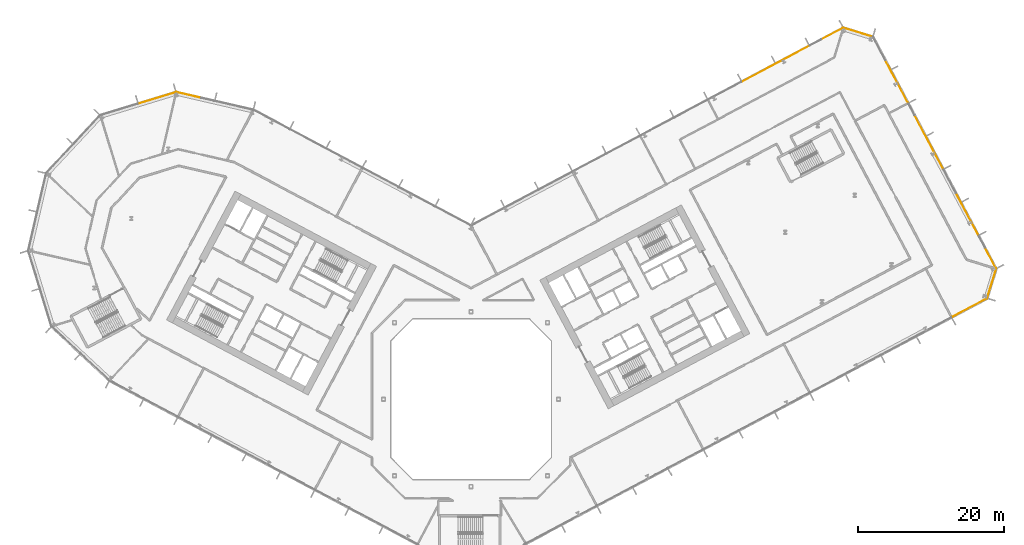
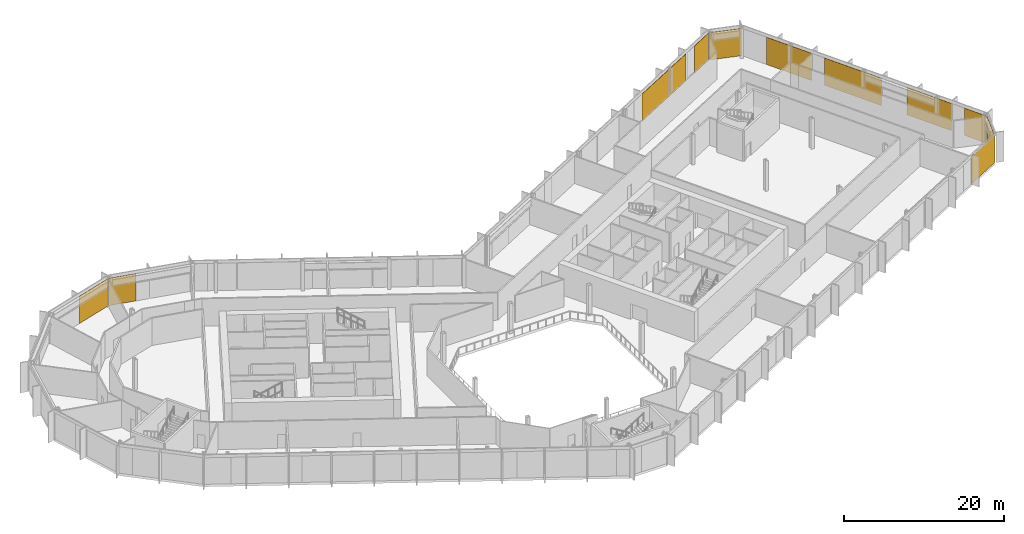
# One storey, part 31 of 31: 11 coverings, 7 elements without a shape of their own.
"""IFC4 building model written with IfcOpenShell, lengths in metres."""

from ifc_helpers import new_model, si_unit, direction, frame, origin, origin_2d, place, context, subcontext, project, spatial, rectangle, extrude, material, layer, layer_set, type_object, element, aggregate, save


model = new_model("IFC4")

# Units and contexts
model_context = context("Model", 3, precision=1e-05, world=origin(), true_north=direction((0.0, 1.0)))
body_context = subcontext(model_context, "Body", "Model", "MODEL_VIEW")
ifc_project = project(units=[si_unit("LENGTHUNIT", "METRE"), si_unit("AREAUNIT", "SQUARE_METRE"), si_unit("VOLUMEUNIT", "CUBIC_METRE"), si_unit("PLANEANGLEUNIT", "RADIAN"), si_unit("MASSUNIT", "GRAM", prefix="KILO")], contexts=[model_context])

# Site, building, storey
site_placement = place(None, origin())
site = spatial("IfcSite", under=ifc_project, at=site_placement, CompositionType="ELEMENT")
building_placement = place(site_placement, origin())
building = spatial("IfcBuilding", under=site, at=building_placement, Name="Cormorant Relay Tower", CompositionType="ELEMENT")
storey_placement = place(building_placement, frame((0.0, 0.0, 107.60009765625)))
storey = spatial("IfcBuildingStorey", under=building, at=storey_placement, Name="L21", CompositionType="ELEMENT", Elevation=107.60009765625)

# Curtain wall, covering
ifc_material_1 = material(Name="Aluminium 6063-T6 anodised bronze", Category="aluminium")
ifc_layer_1 = layer(ifc_material_1, 0.199951171875)
ifc_layer_set_1 = layer_set([ifc_layer_1], Name="CW1 unitised bronze curtain wall with vertical fins")
curtain_wall_type = type_object("IfcCurtainWallType", Name="CW1 unitised bronze curtain wall with vertical fins", PredefinedType="NOTDEFINED", material=ifc_layer_set_1)
curtain_wall_1_placement = place(storey_placement, origin())
curtain_wall_1 = element("IfcCurtainWall", 1, at=curtain_wall_1_placement, inside=storey, type_object=curtain_wall_type, Name="CW1 curtain wall 2", PredefinedType="NOTDEFINED")
ifc_material_2 = material(Name="Pale bronze anodised aluminium insulated panel", Category="aluminium")
ifc_layer_2 = layer(ifc_material_2, 0.0400390625)
ifc_layer_set_2 = layer_set([ifc_layer_2], Name="CW1 pale bronze insulated panel 40")
covering_type = type_object("IfcCoveringType", Name="CW1 pale bronze insulated panel 40", PredefinedType="CLADDING", material=ifc_layer_set_2)
covering_1_placement = place(storey_placement, frame((68.391357421875, 12.557861328125, 0.0), z_axis=(0.0, 0.0, 1.0), x_axis=(0.882947592859, 0.469471562786, 0.0)))
covering_1 = element("IfcCovering", 2, at=covering_1_placement, type_object=covering_type, Name="CW1 panel S13", PredefinedType="CLADDING", context=body_context, shape_type="SweptSolid", body=[
    extrude(rectangle(XDim=5.436767578125, YDim=0.0400390625, at=origin_2d()), origin(), (0.0, 0.0, 1.0), 4.14990234375),
])
aggregate(curtain_wall_1, [covering_1])

curtain_wall_2_placement = place(storey_placement, origin())
curtain_wall_2 = element("IfcCurtainWall", 3, at=curtain_wall_2_placement, inside=storey, type_object=curtain_wall_type, Name="CW1 curtain wall 3", PredefinedType="NOTDEFINED")
covering_2_placement = place(storey_placement, frame((71.4326171875, 15.910400390625, 0.0), z_axis=(0.0, 0.0, 1.0), x_axis=(0.292371704723, 0.956304755963, 0.0)))
covering_2 = element("IfcCovering", 4, at=covering_2_placement, type_object=covering_type, Name="CW1 panel S00", PredefinedType="CLADDING", context=body_context, shape_type="SweptSolid", body=[
    extrude(rectangle(XDim=4.16748046875, YDim=0.0400390625, at=origin_2d()), origin(), (0.0, 0.0, 1.0), 4.14990234375),
])
aggregate(curtain_wall_2, [covering_2])

# Curtain wall, coverings
curtain_wall_3_placement = place(storey_placement, origin())
curtain_wall_3 = element("IfcCurtainWall", 5, at=curtain_wall_3_placement, inside=storey, type_object=curtain_wall_type, Name="CW1 curtain wall 4", PredefinedType="NOTDEFINED")
covering_3_placement = place(storey_placement, frame((71.255615234375, 19.39404296875, 0.0), z_axis=(0.0, 0.0, 1.0), x_axis=(-0.469471562786, 0.882947592859, 0.0)))
covering_3 = element("IfcCovering", 6, at=covering_3_placement, type_object=covering_type, Name="CW1 panel S00", PredefinedType="CLADDING", context=body_context, shape_type="SweptSolid", body=[
    extrude(rectangle(XDim=3.19287109375, YDim=0.0400390625, at=origin_2d()), origin(), (0.0, 0.0, 1.0), 4.14990234375),
])
covering_4_placement = place(storey_placement, frame((68.056640625, 25.41064453125, 0.0), z_axis=(0.0, 0.0, 1.0), x_axis=(-0.469471562786, 0.882947592859, 0.0)))
covering_4 = element("IfcCovering", 7, at=covering_4_placement, type_object=covering_type, Name="CW1 panel S02", PredefinedType="CLADDING", context=body_context, shape_type="SweptSolid", body=[
    extrude(rectangle(XDim=6.53564453125, YDim=0.0400390625, at=origin_2d()), origin(), (0.0, 0.0, 1.0), 4.14990234375),
])
covering_5_placement = place(storey_placement, frame((62.80517578125, 35.287109375, 0.0), z_axis=(0.0, 0.0, 1.0), x_axis=(-0.469471562786, 0.882947592859, 0.0)))
covering_5 = element("IfcCovering", 8, at=covering_5_placement, type_object=covering_type, Name="CW1 panel S04", PredefinedType="CLADDING", context=body_context, shape_type="SweptSolid", body=[
    extrude(rectangle(XDim=8.335693359375, YDim=0.0400390625, at=origin_2d()), origin(), (0.0, 0.0, 1.0), 4.14990234375),
])
covering_6_placement = place(storey_placement, frame((58.38134765625, 43.607421875, 0.0), z_axis=(0.0, 0.0, 1.0), x_axis=(-0.469471562786, 0.882947592859, 0.0)))
covering_6 = element("IfcCovering", 9, at=covering_6_placement, type_object=covering_type, Name="CW1 panel S06", PredefinedType="CLADDING", context=body_context, shape_type="SweptSolid", body=[
    extrude(rectangle(XDim=6.610595703125, YDim=0.0400390625, at=origin_2d()), origin(), (0.0, 0.0, 1.0), 4.14990234375),
])
aggregate(curtain_wall_3, [covering_3, covering_4, covering_5, covering_6])

# Curtain wall, covering
curtain_wall_4_placement = place(storey_placement, origin())
curtain_wall_4 = element("IfcCurtainWall", 10, at=curtain_wall_4_placement, inside=storey, type_object=curtain_wall_type, Name="CW1 curtain wall 5", PredefinedType="NOTDEFINED")
covering_7_placement = place(storey_placement, frame((53.06298828125, 50.34521484375, 0.0), z_axis=(0.0, 0.0, 1.0), x_axis=(-0.956304755963, 0.292371704723, 0.0)))
covering_7 = element("IfcCovering", 11, at=covering_7_placement, type_object=covering_type, Name="CW1 panel S00", PredefinedType="CLADDING", context=body_context, shape_type="SweptSolid", body=[
    extrude(rectangle(XDim=4.16748046875, YDim=0.0400390625, at=origin_2d()), origin(), (0.0, 0.0, 1.0), 4.14990234375),
])
aggregate(curtain_wall_4, [covering_7])

# Curtain wall, coverings
curtain_wall_5_placement = place(storey_placement, origin())
curtain_wall_5 = element("IfcCurtainWall", 12, at=curtain_wall_5_placement, inside=storey, type_object=curtain_wall_type, Name="CW1 curtain wall 6", PredefinedType="NOTDEFINED")
covering_8_placement = place(storey_placement, frame((49.528564453125, 50.1416015625, 0.0), z_axis=(0.0, 0.0, 1.0), x_axis=(-0.882947592859, -0.469471562786, 0.0)))
covering_8 = element("IfcCovering", 13, at=covering_8_placement, type_object=covering_type, Name="CW1 panel S00", PredefinedType="CLADDING", context=body_context, shape_type="SweptSolid", body=[
    extrude(rectangle(XDim=3.3076171875, YDim=0.0400390625, at=origin_2d()), origin(), (0.0, 0.0, 1.0), 4.14990234375),
])
covering_9_placement = place(storey_placement, frame((41.7705078125, 46.0166015625, 0.0), z_axis=(0.0, 0.0, 1.0), x_axis=(-0.882947592859, -0.469471562786, 0.0)))
covering_9 = element("IfcCovering", 14, at=covering_9_placement, type_object=covering_type, Name="CW1 panel S02", PredefinedType="CLADDING", context=body_context, shape_type="SweptSolid", body=[
    extrude(rectangle(XDim=10.365234375, YDim=0.0400390625, at=origin_2d()), origin(), (0.0, 0.0, 1.0), 4.14990234375),
])
aggregate(curtain_wall_5, [covering_8, covering_9])

# Curtain wall, covering
curtain_wall_6_placement = place(storey_placement, origin())
curtain_wall_6 = element("IfcCurtainWall", 15, at=curtain_wall_6_placement, inside=storey, type_object=curtain_wall_type, Name="CW1 curtain wall 8", PredefinedType="NOTDEFINED")
covering_10_placement = place(storey_placement, frame((-38.7265625, 41.732421875, 0.0), z_axis=(0.0, 0.0, 1.0), x_axis=(-0.974370064785, 0.224951054344, 0.0)))
covering_10 = element("IfcCovering", 16, at=covering_10_placement, type_object=covering_type, Name="CW1 panel S02", PredefinedType="CLADDING", context=body_context, shape_type="SweptSolid", body=[
    extrude(rectangle(XDim=3.560302734375, YDim=0.0400390625, at=origin_2d()), origin(), (0.0, 0.0, 1.0), 4.14990234375),
])
aggregate(curtain_wall_6, [covering_10])

curtain_wall_7_placement = place(storey_placement, origin())
curtain_wall_7 = element("IfcCurtainWall", 17, at=curtain_wall_7_placement, inside=storey, type_object=curtain_wall_type, Name="CW1 curtain wall 9", PredefinedType="NOTDEFINED")
covering_11_placement = place(storey_placement, frame((-43.0703125, 41.337890625, 0.0), z_axis=(0.0, 0.0, 1.0), x_axis=(-0.956304755963, -0.292371704723, 0.0)))
covering_11 = element("IfcCovering", 18, at=covering_11_placement, type_object=covering_type, Name="CW1 panel S00", PredefinedType="CLADDING", context=body_context, shape_type="SweptSolid", body=[
    extrude(rectangle(XDim=5.28515625, YDim=0.0400390625, at=origin_2d()), origin(), (0.0, 0.0, 1.0), 4.14990234375),
])
aggregate(curtain_wall_7, [covering_11])

save(model, "model.ifc")
